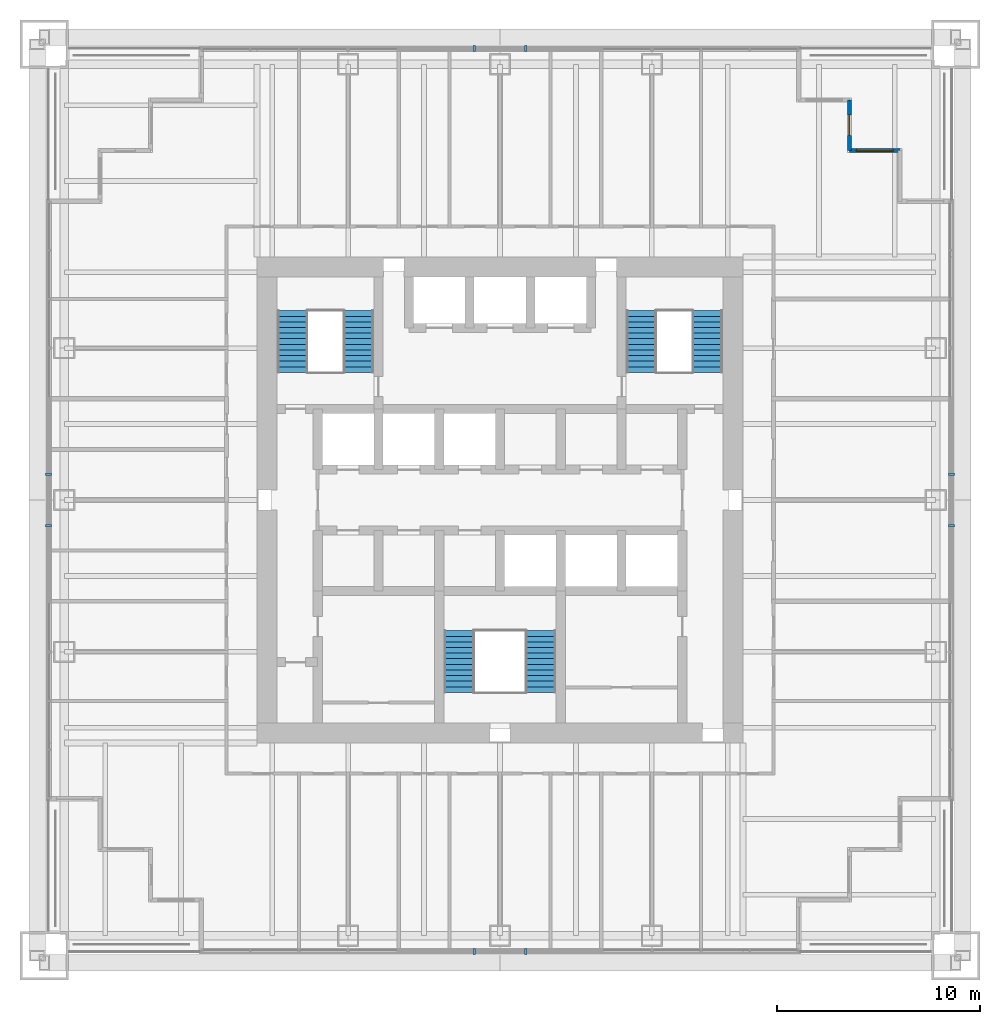
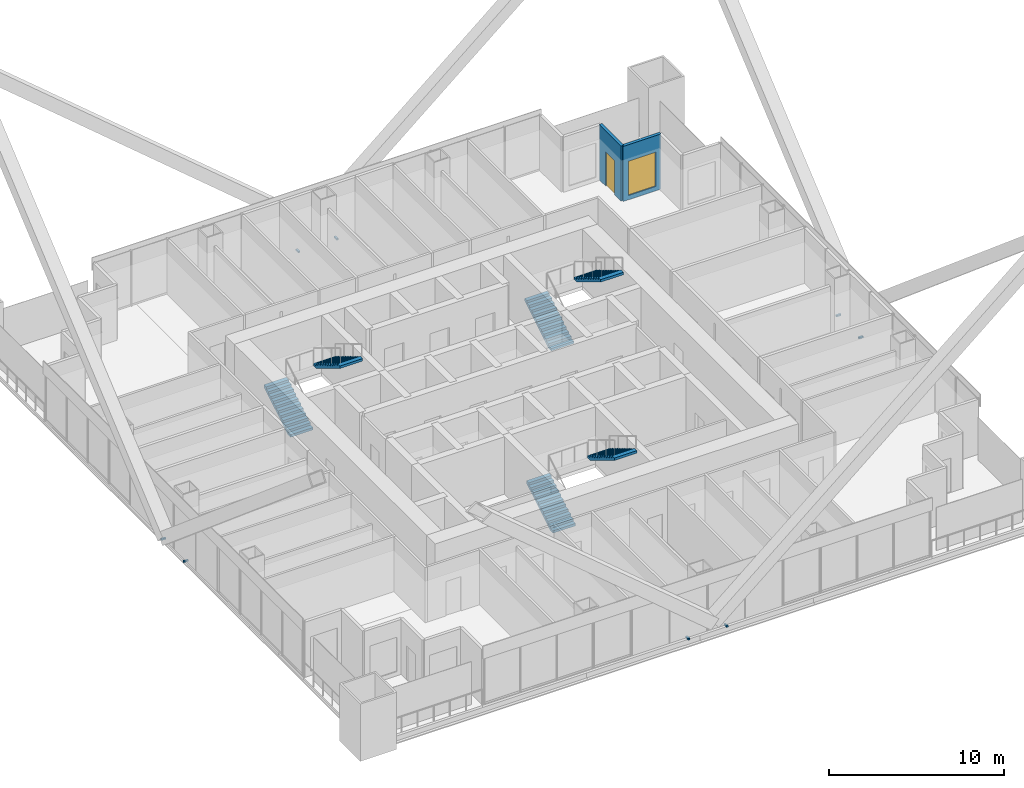
# One storey, part 15 of 17: 8 discrete accessories, 6 stair flights, 2 walls, 1 door, 1 window, 2 openings, 3 elements without a shape of their own.
"""IFC4 building model written with IfcOpenShell, lengths in metres."""

from ifc_helpers import new_model, si_unit, direction, frame, frame_2d, origin, origin_2d, place, context, subcontext, project, spatial, polyline, rectangle, outline, extrude, material, layer, layer_set, type_object, element, fill, aggregate, save


model = new_model("IFC4")

# Units and contexts
model_context = context("Model", 3, precision=1e-05, world=origin(), true_north=direction((0.0, 1.0)))
body_context = subcontext(model_context, "Body", "Model", "MODEL_VIEW")
ifc_project = project(units=[si_unit("LENGTHUNIT", "METRE"), si_unit("AREAUNIT", "SQUARE_METRE"), si_unit("VOLUMEUNIT", "CUBIC_METRE"), si_unit("PLANEANGLEUNIT", "RADIAN"), si_unit("MASSUNIT", "GRAM", prefix="KILO")], contexts=[model_context])

# Site, building, storey
site_placement = place(None, origin())
site = spatial("IfcSite", under=ifc_project, at=site_placement, CompositionType="ELEMENT")
building_placement = place(site_placement, origin())
building = spatial("IfcBuilding", under=site, at=building_placement, Name="Tarangal Relay Tower", CompositionType="ELEMENT")
storey_placement = place(building_placement, frame((0.0, 0.0, 233.89990234375)))
storey = spatial("IfcBuildingStorey", under=building, at=storey_placement, Name="L50", CompositionType="ELEMENT", Elevation=233.89990234375)

# Wall, opening, door
ifc_material_1 = material(Name="Black metal clad insulated wall", Category="steel")
ifc_layer = layer(ifc_material_1, 0.199951171875)
ifc_layer_set = layer_set([ifc_layer], Name="Corner wall metal clad 200")
wall_type = type_object("IfcWallType", Name="Corner wall metal clad 200", PredefinedType="SOLIDWALL", material=ifc_layer_set)
wall_1_placement = place(storey_placement, frame((17.25, 19.75, 0.0), z_axis=(0.0, 0.0, 1.0), x_axis=(0.0, -1.0, 0.0)))
wall_1 = element("IfcWall", 1, at=wall_1_placement, inside=storey, type_object=wall_type, Name="Facade wall N facade L50", PredefinedType="SOLIDWALL", context=body_context, shape_type="SweptSolid", body=[
    extrude(rectangle(XDim=2.5, YDim=0.199951171875, at=frame_2d((1.25, 0.0))), origin(), (0.0, 0.0, 1.0), 3.85009765625),
])
opening_1_placement = place(wall_1_placement, frame((0.75, 0.0, 0.0)))
opening_1 = element("IfcOpeningElement", 2, at=opening_1_placement, cuts=wall_1, Name="Opening TD1", PredefinedType="OPENING", context=body_context, shape_type="SweptSolid", body=[
    extrude(rectangle(XDim=1.0, YDim=2.39990234375, at=frame_2d((0.5, 1.199951171875))), frame((0.0, 0.10986328125, 0.0), z_axis=(0.0, -1.0, 0.0), x_axis=(1.0, 0.0, 0.0)), (0.0, 0.0, 1.0), 0.219970703125),
])
ifc_material_2 = material(Name="Aluminium glazed door", Category="aluminium")
door_type = type_object("IfcDoorType", Name="Terrace door 1000 x 2400", OperationType="SINGLE_SWING_RIGHT", PredefinedType="DOOR", material=ifc_material_2)
door_placement = place(opening_1_placement, origin())
door = element("IfcDoor", 3, at=door_placement, inside=storey, type_object=door_type, Name="Terrace door TD1 NE L50", OperationType="SINGLE_SWING_RIGHT", OverallHeight=2.39990234375, OverallWidth=1.0, PredefinedType="DOOR", context=body_context, shape_type="SweptSolid", body=[
    extrude(rectangle(XDim=1.0, YDim=2.39990234375, at=frame_2d((0.5, 1.199951171875))), frame((0.0, 0.02490234375, 0.0), z_axis=(0.0, -1.0, 0.0), x_axis=(1.0, 0.0, 0.0)), (0.0, 0.0, 1.0), 0.050048828125),
])
fill(opening_1, door)

# Wall, opening, window
wall_2_placement = place(storey_placement, frame((17.25, 17.25, 0.0), z_axis=(0.0, 0.0, 1.0), x_axis=(1.0, 0.0, 0.0)))
wall_2 = element("IfcWall", 4, at=wall_2_placement, inside=storey, type_object=wall_type, Name="Facade wall N facade L50", PredefinedType="SOLIDWALL", context=body_context, shape_type="SweptSolid", body=[
    extrude(rectangle(XDim=2.5, YDim=0.199951171875, at=frame_2d((1.25, 0.0))), origin(), (0.0, 0.0, 1.0), 3.85009765625),
])
opening_2_placement = place(wall_2_placement, frame((0.35009765625, 0.0, 0.300048828125)))
opening_2 = element("IfcOpeningElement", 5, at=opening_2_placement, cuts=wall_2, Name="Opening WN2", PredefinedType="OPENING", context=body_context, shape_type="SweptSolid", body=[
    extrude(rectangle(XDim=1.800048828125, YDim=2.39990234375, at=frame_2d((0.89990234375, 1.199951171875))), frame((0.0, 0.10986328125, 0.0), z_axis=(0.0, -1.0, 0.0), x_axis=(1.0, 0.0, 0.0)), (0.0, 0.0, 1.0), 0.219970703125),
])
ifc_material_3 = material(Name="Dark tinted double glazing in black aluminium frame", Category="aluminium")
window_type = type_object("IfcWindowType", Name="Corner window 1800 x 2400", PartitioningType="SINGLE_PANEL", PredefinedType="WINDOW", material=ifc_material_3)
window_placement = place(opening_2_placement, origin())
window = element("IfcWindow", 6, at=window_placement, inside=storey, type_object=window_type, Name="Corner window WN2 N facade L50", OverallHeight=2.39990234375, OverallWidth=1.800048828125, PartitioningType="SINGLE_PANEL", PredefinedType="WINDOW", context=body_context, shape_type="SweptSolid", body=[
    extrude(rectangle(XDim=1.800048828125, YDim=2.39990234375, at=frame_2d((0.89990234375, 1.199951171875))), frame((0.0, 0.030029296875, 0.0), z_axis=(0.0, -1.0, 0.0), x_axis=(1.0, 0.0, 0.0)), (0.0, 0.0, 1.0), 0.06005859375),
])
fill(opening_2, window)

# Stair, stair flights
ifc_material_4 = material(Name="Steel ASTM A992 stair flight", Category="steel")
stair_type = type_object("IfcStairType", Name="Core stair 1500", PredefinedType="HALF_TURN_STAIR", material=ifc_material_4)
stair_1_placement = place(storey_placement, origin())
stair_1 = element("IfcStair", 7, at=stair_1_placement, inside=storey, type_object=stair_type, Name="Stair ST-A L50", PredefinedType="HALF_TURN_STAIR")
stair_flight_type = type_object("IfcStairFlightType", Name="Steel stair flight 1500, 12 risers 167 x 277", PredefinedType="STRAIGHT", material=ifc_material_4)
stair_flight_1_placement = place(storey_placement, frame((-10.25, 6.300048828125, 0.0), z_axis=(0.0, 0.0, 1.0), x_axis=(0.0, 1.0, 0.0)))
stair_flight_1 = element("IfcStairFlight", 8, at=stair_flight_1_placement, type_object=stair_flight_type, Name="ST-A flight 1", NumberOfRisers=12, NumberOfTreads=11, PredefinedType="STRAIGHT", RiserHeight=0.166666667, TreadLength=0.277, context=body_context, shape_type="SweptSolid", body=[
    extrude(outline(polyline([(0.0, 0.0), (0.0, 0.166748046875), (0.277099609375, 0.166748046875), (0.277099609375, 0.333251953125), (0.553955078125, 0.333251953125), (0.553955078125, 0.5), (0.8310546875, 0.5), (0.8310546875, 0.666748046875), (1.10791015625, 0.666748046875), (1.10791015625, 0.833251953125), (1.385009765625, 0.833251953125), (1.385009765625, 1.0), (1.662109375, 1.0), (1.662109375, 1.166748046875), (1.93896484375, 1.166748046875), (1.93896484375, 1.333251953125), (2.216064453125, 1.333251953125), (2.216064453125, 1.5), (2.492919921875, 1.5), (2.492919921875, 1.666748046875), (2.77001953125, 1.666748046875), (2.77001953125, 1.833251953125), (3.047119140625, 1.833251953125), (3.047119140625, 2.0), (3.047119140625, 1.658447265625), (0.290771484375, 0.0), (0.0, 0.0)])), frame((0.0, 0.75, 0.0), z_axis=(0.0, -1.0, 0.0), x_axis=(1.0, 0.0, 0.0)), (0.0, 0.0, 1.0), 1.5),
])
stair_flight_2_placement = place(storey_placement, frame((-6.97509765625, 9.346923828125, 2.0), z_axis=(0.0, 0.0, 1.0), x_axis=(0.0, -1.0, 0.0)))
stair_flight_2 = element("IfcStairFlight", 9, at=stair_flight_2_placement, type_object=stair_flight_type, Name="ST-A flight 2", NumberOfRisers=12, NumberOfTreads=11, PredefinedType="STRAIGHT", RiserHeight=0.166666667, TreadLength=0.277, context=body_context, shape_type="SweptSolid", body=[
    extrude(outline(polyline([(0.0, 0.0), (0.0, 0.166748046875), (0.277099609375, 0.166748046875), (0.277099609375, 0.333251953125), (0.553955078125, 0.333251953125), (0.553955078125, 0.5), (0.8310546875, 0.5), (0.8310546875, 0.666748046875), (1.10791015625, 0.666748046875), (1.10791015625, 0.833251953125), (1.385009765625, 0.833251953125), (1.385009765625, 1.0), (1.662109375, 1.0), (1.662109375, 1.166748046875), (1.93896484375, 1.166748046875), (1.93896484375, 1.333251953125), (2.216064453125, 1.333251953125), (2.216064453125, 1.5), (2.492919921875, 1.5), (2.492919921875, 1.666748046875), (2.77001953125, 1.666748046875), (2.77001953125, 1.833251953125), (3.047119140625, 1.833251953125), (3.047119140625, 2.0), (3.047119140625, 1.658447265625), (0.290771484375, 0.0), (0.0, 0.0)])), frame((0.0, 0.75, 0.0), z_axis=(0.0, -1.0, 0.0), x_axis=(1.0, 0.0, 0.0)), (0.0, 0.0, 1.0), 1.5),
])
aggregate(stair_1, [stair_flight_1, stair_flight_2])

stair_2_placement = place(storey_placement, origin())
stair_2 = element("IfcStair", 10, at=stair_2_placement, inside=storey, type_object=stair_type, Name="Stair ST-B L50", PredefinedType="HALF_TURN_STAIR")
stair_flight_3_placement = place(storey_placement, frame((6.97509765625, 6.300048828125, 0.0), z_axis=(0.0, 0.0, 1.0), x_axis=(0.0, 1.0, 0.0)))
stair_flight_3 = element("IfcStairFlight", 11, at=stair_flight_3_placement, type_object=stair_flight_type, Name="ST-B flight 1", NumberOfRisers=12, NumberOfTreads=11, PredefinedType="STRAIGHT", RiserHeight=0.166666667, TreadLength=0.277, context=body_context, shape_type="SweptSolid", body=[
    extrude(outline(polyline([(0.0, 0.0), (0.0, 0.166748046875), (0.277099609375, 0.166748046875), (0.277099609375, 0.333251953125), (0.553955078125, 0.333251953125), (0.553955078125, 0.5), (0.8310546875, 0.5), (0.8310546875, 0.666748046875), (1.10791015625, 0.666748046875), (1.10791015625, 0.833251953125), (1.385009765625, 0.833251953125), (1.385009765625, 1.0), (1.662109375, 1.0), (1.662109375, 1.166748046875), (1.93896484375, 1.166748046875), (1.93896484375, 1.333251953125), (2.216064453125, 1.333251953125), (2.216064453125, 1.5), (2.492919921875, 1.5), (2.492919921875, 1.666748046875), (2.77001953125, 1.666748046875), (2.77001953125, 1.833251953125), (3.047119140625, 1.833251953125), (3.047119140625, 2.0), (3.047119140625, 1.658447265625), (0.290771484375, 0.0), (0.0, 0.0)])), frame((0.0, 0.75, 0.0), z_axis=(0.0, -1.0, 0.0), x_axis=(1.0, 0.0, 0.0)), (0.0, 0.0, 1.0), 1.5),
])
stair_flight_4_placement = place(storey_placement, frame((10.25, 9.346923828125, 2.0), z_axis=(0.0, 0.0, 1.0), x_axis=(0.0, -1.0, 0.0)))
stair_flight_4 = element("IfcStairFlight", 12, at=stair_flight_4_placement, type_object=stair_flight_type, Name="ST-B flight 2", NumberOfRisers=12, NumberOfTreads=11, PredefinedType="STRAIGHT", RiserHeight=0.166666667, TreadLength=0.277, context=body_context, shape_type="SweptSolid", body=[
    extrude(outline(polyline([(0.0, 0.0), (0.0, 0.166748046875), (0.277099609375, 0.166748046875), (0.277099609375, 0.333251953125), (0.553955078125, 0.333251953125), (0.553955078125, 0.5), (0.8310546875, 0.5), (0.8310546875, 0.666748046875), (1.10791015625, 0.666748046875), (1.10791015625, 0.833251953125), (1.385009765625, 0.833251953125), (1.385009765625, 1.0), (1.662109375, 1.0), (1.662109375, 1.166748046875), (1.93896484375, 1.166748046875), (1.93896484375, 1.333251953125), (2.216064453125, 1.333251953125), (2.216064453125, 1.5), (2.492919921875, 1.5), (2.492919921875, 1.666748046875), (2.77001953125, 1.666748046875), (2.77001953125, 1.833251953125), (3.047119140625, 1.833251953125), (3.047119140625, 2.0), (3.047119140625, 1.658447265625), (0.290771484375, 0.0), (0.0, 0.0)])), frame((0.0, 0.75, 0.0), z_axis=(0.0, -1.0, 0.0), x_axis=(1.0, 0.0, 0.0)), (0.0, 0.0, 1.0), 1.5),
])
aggregate(stair_2, [stair_flight_3, stair_flight_4])

stair_3_placement = place(storey_placement, origin())
stair_3 = element("IfcStair", 13, at=stair_3_placement, inside=storey, type_object=stair_type, Name="Stair ST-C L50", PredefinedType="HALF_TURN_STAIR")
stair_flight_5_placement = place(storey_placement, frame((-2.02490234375, -9.5, 0.0), z_axis=(0.0, 0.0, 1.0), x_axis=(0.0, 1.0, 0.0)))
stair_flight_5 = element("IfcStairFlight", 14, at=stair_flight_5_placement, type_object=stair_flight_type, Name="ST-C flight 1", NumberOfRisers=12, NumberOfTreads=11, PredefinedType="STRAIGHT", RiserHeight=0.166666667, TreadLength=0.277, context=body_context, shape_type="SweptSolid", body=[
    extrude(outline(polyline([(0.0, 0.0), (0.0, 0.166748046875), (0.277099609375, 0.166748046875), (0.277099609375, 0.333251953125), (0.553955078125, 0.333251953125), (0.553955078125, 0.5), (0.8310546875, 0.5), (0.8310546875, 0.666748046875), (1.10791015625, 0.666748046875), (1.10791015625, 0.833251953125), (1.385009765625, 0.833251953125), (1.385009765625, 1.0), (1.662109375, 1.0), (1.662109375, 1.166748046875), (1.93896484375, 1.166748046875), (1.93896484375, 1.333251953125), (2.216064453125, 1.333251953125), (2.216064453125, 1.5), (2.492919921875, 1.5), (2.492919921875, 1.666748046875), (2.77001953125, 1.666748046875), (2.77001953125, 1.833251953125), (3.047119140625, 1.833251953125), (3.047119140625, 2.0), (3.047119140625, 1.658447265625), (0.290771484375, 0.0), (0.0, 0.0)])), frame((0.0, 0.75, 0.0), z_axis=(0.0, -1.0, 0.0), x_axis=(1.0, 0.0, 0.0)), (0.0, 0.0, 1.0), 1.5),
])
stair_flight_6_placement = place(storey_placement, frame((2.02490234375, -6.452880859375, 2.0), z_axis=(0.0, 0.0, 1.0), x_axis=(0.0, -1.0, 0.0)))
stair_flight_6 = element("IfcStairFlight", 15, at=stair_flight_6_placement, type_object=stair_flight_type, Name="ST-C flight 2", NumberOfRisers=12, NumberOfTreads=11, PredefinedType="STRAIGHT", RiserHeight=0.166666667, TreadLength=0.277, context=body_context, shape_type="SweptSolid", body=[
    extrude(outline(polyline([(0.0, 0.0), (0.0, 0.166748046875), (0.277099609375, 0.166748046875), (0.277099609375, 0.333251953125), (0.553955078125, 0.333251953125), (0.553955078125, 0.5), (0.8310546875, 0.5), (0.8310546875, 0.666748046875), (1.10791015625, 0.666748046875), (1.10791015625, 0.833251953125), (1.385009765625, 0.833251953125), (1.385009765625, 1.0), (1.662109375, 1.0), (1.662109375, 1.166748046875), (1.93896484375, 1.166748046875), (1.93896484375, 1.333251953125), (2.216064453125, 1.333251953125), (2.216064453125, 1.5), (2.492919921875, 1.5), (2.492919921875, 1.666748046875), (2.77001953125, 1.666748046875), (2.77001953125, 1.833251953125), (3.047119140625, 1.833251953125), (3.047119140625, 2.0), (3.047119140625, 1.658447265625), (0.290771484375, 0.0), (0.0, 0.0)])), frame((0.0, 0.75, 0.0), z_axis=(0.0, -1.0, 0.0), x_axis=(1.0, 0.0, 0.0)), (0.0, 0.0, 1.0), 1.5),
])
aggregate(stair_3, [stair_flight_5, stair_flight_6])

# Discrete accessories
ifc_material_5 = material(Name="Steel ASTM A572 Grade 50", Category="steel")
discrete_accessory_type = type_object("IfcDiscreteAccessoryType", Name="Brace crossing restraint BRT3", PredefinedType="BRACKET", material=ifc_material_5)
for number, where, z_axis, x_axis, name in (
    (16, (-1.27294921875, 22.300048828125, -0.1298828125), (0.0, 0.0, 1.0), (1.0, 0.0, 0.0), "Brace crossing restraint BRT3 N L50"),
    (17, (1.27294921875, 22.300048828125, -0.1298828125), (0.0, 0.0, 1.0), (1.0, 0.0, 0.0), "Brace crossing restraint BRT3 N L50"),
):
    element("IfcDiscreteAccessory", number, at=place(storey_placement, frame(where, z_axis=z_axis, x_axis=x_axis)), inside=storey, type_object=discrete_accessory_type, Name=name, PredefinedType="BRACKET", context=body_context, shape_type="SweptSolid", body=[
        extrude(rectangle(XDim=0.1201171875, YDim=0.300048828125, at=origin_2d()), origin(), (0.0, 0.0, 1.0), 0.110107421875),
    ])
for number, where, z_axis, x_axis, name in (
    (18, (22.300048828125, 1.27294921875, -0.1298828125), (0.0, 0.0, 1.0), (1.0, 0.0, 0.0), "Brace crossing restraint BRT3 E L50"),
    (19, (22.300048828125, -1.27294921875, -0.1298828125), (0.0, 0.0, 1.0), (1.0, 0.0, 0.0), "Brace crossing restraint BRT3 E L50"),
):
    element("IfcDiscreteAccessory", number, at=place(storey_placement, frame(where, z_axis=z_axis, x_axis=x_axis)), inside=storey, type_object=discrete_accessory_type, Name=name, PredefinedType="BRACKET", context=body_context, shape_type="SweptSolid", body=[
        extrude(rectangle(XDim=0.300048828125, YDim=0.1201171875, at=origin_2d()), origin(), (0.0, 0.0, 1.0), 0.110107421875),
    ])
for number, where, z_axis, x_axis, name in (
    (20, (1.27294921875, -22.300048828125, -0.1298828125), (0.0, 0.0, 1.0), (1.0, 0.0, 0.0), "Brace crossing restraint BRT3 S L50"),
    (21, (-1.27294921875, -22.300048828125, -0.1298828125), (0.0, 0.0, 1.0), (1.0, 0.0, 0.0), "Brace crossing restraint BRT3 S L50"),
):
    element("IfcDiscreteAccessory", number, at=place(storey_placement, frame(where, z_axis=z_axis, x_axis=x_axis)), inside=storey, type_object=discrete_accessory_type, Name=name, PredefinedType="BRACKET", context=body_context, shape_type="SweptSolid", body=[
        extrude(rectangle(XDim=0.1201171875, YDim=0.300048828125, at=origin_2d()), origin(), (0.0, 0.0, 1.0), 0.110107421875),
    ])
for number, where, z_axis, x_axis, name in (
    (22, (-22.300048828125, -1.27294921875, -0.1298828125), (0.0, 0.0, 1.0), (1.0, 0.0, 0.0), "Brace crossing restraint BRT3 W L50"),
    (23, (-22.300048828125, 1.27294921875, -0.1298828125), (0.0, 0.0, 1.0), (1.0, 0.0, 0.0), "Brace crossing restraint BRT3 W L50"),
):
    element("IfcDiscreteAccessory", number, at=place(storey_placement, frame(where, z_axis=z_axis, x_axis=x_axis)), inside=storey, type_object=discrete_accessory_type, Name=name, PredefinedType="BRACKET", context=body_context, shape_type="SweptSolid", body=[
        extrude(rectangle(XDim=0.300048828125, YDim=0.1201171875, at=origin_2d()), origin(), (0.0, 0.0, 1.0), 0.110107421875),
    ])

save(model, "model.ifc")
